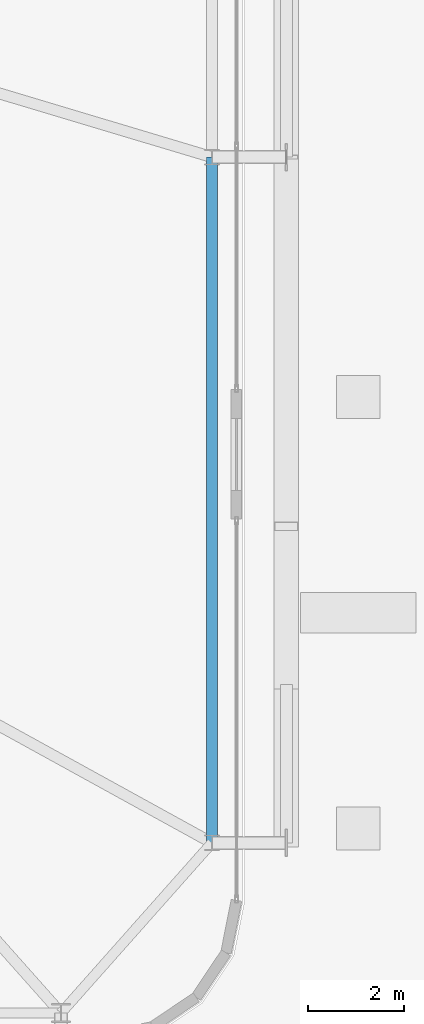
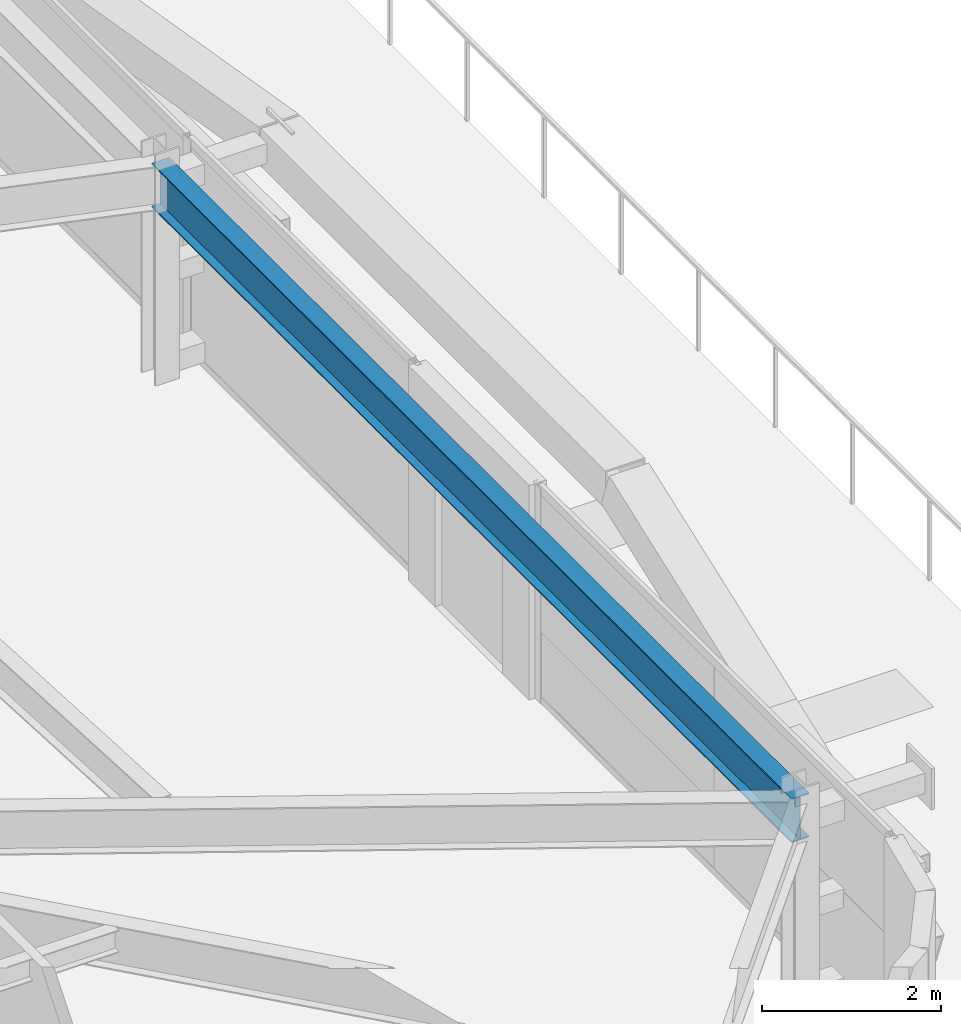
# One storey, part 34 of 56: 1 beam.
"""IFC4 building model written with IfcOpenShell, lengths in metres."""

from ifc_helpers import new_model, si_unit, direction, frame, origin, origin_2d, place, context, subcontext, project, spatial, i_section, extrude, source, transform, mapped, material, material_profile, profile_set, type_object, element, save


model = new_model("IFC4")

# Units and contexts
model_context = context("Model", 3, precision=1e-05, world=origin(), true_north=direction((0.0, 1.0)))
body_context = subcontext(model_context, "Body", "Model", "MODEL_VIEW")
ifc_project = project(units=[si_unit("LENGTHUNIT", "METRE"), si_unit("AREAUNIT", "SQUARE_METRE"), si_unit("VOLUMEUNIT", "CUBIC_METRE"), si_unit("PLANEANGLEUNIT", "RADIAN"), si_unit("MASSUNIT", "GRAM", prefix="KILO")], contexts=[model_context])

# Site, building, storey
site_placement = place(None, origin())
site = spatial("IfcSite", under=ifc_project, at=site_placement, CompositionType="ELEMENT")
building_placement = place(site_placement, origin())
building = spatial("IfcBuilding", under=site, at=building_placement, Name="Taldren Reach Tower", CompositionType="ELEMENT")
storey_placement = place(building_placement, frame((0.0, 0.0, 16.800048828125)))
storey = spatial("IfcBuildingStorey", under=building, at=storey_placement, Name="L04", CompositionType="ELEMENT", Elevation=16.800048828125)

# Beam
ifc_material = material(Name="Steel Gr 350 (350PLUS)", Category="steel")
ifc_material_profile = material_profile(ifc_material, i_section(OverallWidth=0.22802734375, OverallDepth=0.60205078125, WebThickness=0.010498046875, FlangeThickness=0.014892578125, at=origin_2d()), Name="610UB101")
ifc_profile_set = profile_set([ifc_material_profile], Name="Steel Gr 350 (350PLUS)")
beam_type = type_object("IfcBeamType", Name="BM-UB610B", PredefinedType="BEAM", material=ifc_profile_set)
shared_shape = source(origin(), body_context, "Body", "SweptSolid", [
    extrude(i_section(OverallWidth=0.22802734375, OverallDepth=0.60205078125, WebThickness=0.010498046875, FlangeThickness=0.014892578125, at=origin_2d()), origin(), (0.0, 0.0, 1.0), 14.300048828125),
])
beam_placement = place(storey_placement, frame((64.35009765625, 5.699951171875, 2.62890625), z_axis=(0.0, 1.0, 0.0), x_axis=(-1.0, 0.0, 0.0)))
element("IfcBeam", 1, at=beam_placement, inside=storey, type_object=beam_type, Name="Perimeter gable girder B1 E1-E2 L04", PredefinedType="BEAM", context=body_context, shape_type="MappedRepresentation", body=[
    mapped(shared_shape, transform((0.0, 0.0, 0.0), scale=1.0)),
])

save(model, "model.ifc")
